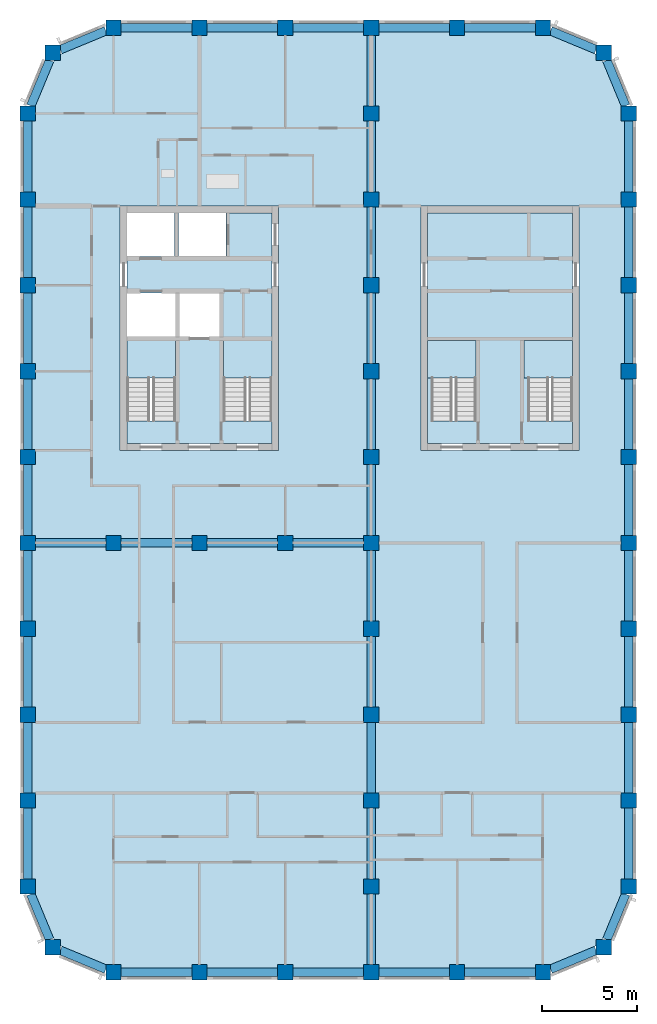
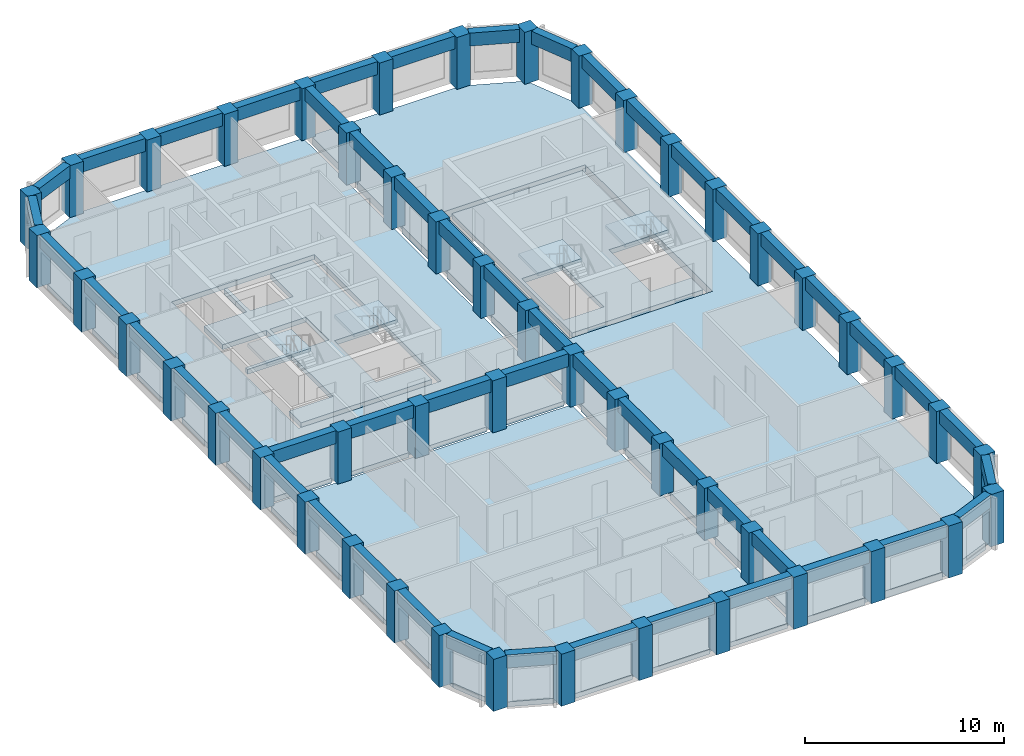
# One storey, part 1 of 9: 51 beams, 49 columns, 9 slabs, 4 elements without a shape of their own.
"""IFC4 building model written with IfcOpenShell, lengths in metres."""

from ifc_helpers import new_model, si_unit, direction, frame, origin, origin_2d, place, context, subcontext, project, spatial, polyline, rectangle, outline, extrude, material, layer, layer_set, material_profile, profile_set, type_object, element, aggregate, save


model = new_model("IFC4")

# Units and contexts
model_context = context("Model", 3, precision=1e-05, world=origin(), true_north=direction((0.0, 1.0)))
body_context = subcontext(model_context, "Body", "Model", "MODEL_VIEW")
ifc_project = project(units=[si_unit("LENGTHUNIT", "METRE"), si_unit("AREAUNIT", "SQUARE_METRE"), si_unit("VOLUMEUNIT", "CUBIC_METRE"), si_unit("PLANEANGLEUNIT", "RADIAN"), si_unit("MASSUNIT", "GRAM", prefix="KILO")], contexts=[model_context])

# Site, building, storey
site_placement = place(None, origin())
site = spatial("IfcSite", under=ifc_project, at=site_placement, CompositionType="ELEMENT")
building_placement = place(site_placement, origin())
building = spatial("IfcBuilding", under=site, at=building_placement, Name="Girih Gate Residences", CompositionType="ELEMENT")
storey_placement = place(building_placement, frame((0.0, 0.0, 226.094970703125)))
storey = spatial("IfcBuildingStorey", under=building, at=storey_placement, Name="L63", CompositionType="ELEMENT", Elevation=226.094970703125)

# Columns
ifc_material_1 = material(Name="Concrete C60/75", Category="concrete")
ifc_material_profile_1 = material_profile(ifc_material_1, rectangle(XDim=0.800048828125, YDim=0.800048828125, at=origin_2d()))
ifc_profile_set_1 = profile_set([ifc_material_profile_1], Name="Concrete C60/75")
column_type = type_object("IfcColumnType", Name="Pier RC 800x800 Concrete C60/75", PredefinedType="COLUMN", material=ifc_profile_set_1)
for number, where, z_axis, x_axis, name in (
    (1, (4.5, 0.0, 0.0), (0.0, 0.0, 1.0), (1.0, 0.0, 0.0), "Pier P2A L63"),
    (2, (9.0, 0.0, 0.0), (0.0, 0.0, 1.0), (1.0, 0.0, 0.0), "Pier P3A L63"),
    (3, (13.5, 0.0, 0.0), (0.0, 0.0, 1.0), (1.0, 0.0, 0.0), "Pier P4A L63"),
    (4, (18.0, 0.0, 0.0), (0.0, 0.0, 1.0), (1.0, 0.0, 0.0), "Pier P5A L63"),
    (5, (22.5, 0.0, 0.0), (0.0, 0.0, 1.0), (1.0, 0.0, 0.0), "Pier P6A L63"),
    (6, (27.0, 0.0, 0.0), (0.0, 0.0, 1.0), (1.0, 0.0, 0.0), "Pier P7A L63"),
    (7, (1.318115234375, 1.318115234375, 0.0), (0.0, 0.0, 1.0), (1.0, 0.0, 0.0), "Pier P1ANE L63"),
    (8, (30.181884765625, 1.318115234375, 0.0), (0.0, 0.0, 1.0), (1.0, 0.0, 0.0), "Pier P8ANW L63"),
    (9, (0.0, 4.5, 0.0), (0.0, 0.0, 1.0), (1.0, 0.0, 0.0), "Pier P1B L63"),
    (10, (18.0, 4.5, 0.0), (0.0, 0.0, 1.0), (1.0, 0.0, 0.0), "Pier P5B L63"),
    (11, (31.5, 4.5, 0.0), (0.0, 0.0, 1.0), (1.0, 0.0, 0.0), "Pier P8B L63"),
    (12, (0.0, 9.0, 0.0), (0.0, 0.0, 1.0), (1.0, 0.0, 0.0), "Pier P1C L63"),
    (13, (18.0, 9.0, 0.0), (0.0, 0.0, 1.0), (1.0, 0.0, 0.0), "Pier P5C L63"),
    (14, (31.5, 9.0, 0.0), (0.0, 0.0, 1.0), (1.0, 0.0, 0.0), "Pier P8C L63"),
    (15, (0.0, 13.5, 0.0), (0.0, 0.0, 1.0), (1.0, 0.0, 0.0), "Pier P1D L63"),
    (16, (18.0, 13.5, 0.0), (0.0, 0.0, 1.0), (1.0, 0.0, 0.0), "Pier P5D L63"),
    (17, (31.5, 13.5, 0.0), (0.0, 0.0, 1.0), (1.0, 0.0, 0.0), "Pier P8D L63"),
    (18, (0.0, 18.0, 0.0), (0.0, 0.0, 1.0), (1.0, 0.0, 0.0), "Pier P1E L63"),
    (19, (18.0, 18.0, 0.0), (0.0, 0.0, 1.0), (1.0, 0.0, 0.0), "Pier P5E L63"),
    (20, (31.5, 18.0, 0.0), (0.0, 0.0, 1.0), (1.0, 0.0, 0.0), "Pier P8E L63"),
    (21, (0.0, 22.5, 0.0), (0.0, 0.0, 1.0), (1.0, 0.0, 0.0), "Pier P1F L63"),
    (22, (4.5, 22.5, 0.0), (0.0, 0.0, 1.0), (1.0, 0.0, 0.0), "Pier P2F L63"),
    (23, (9.0, 22.5, 0.0), (0.0, 0.0, 1.0), (1.0, 0.0, 0.0), "Pier P3F L63"),
    (24, (13.5, 22.5, 0.0), (0.0, 0.0, 1.0), (1.0, 0.0, 0.0), "Pier P4F L63"),
    (25, (18.0, 22.5, 0.0), (0.0, 0.0, 1.0), (1.0, 0.0, 0.0), "Pier P5F L63"),
    (26, (31.5, 22.5, 0.0), (0.0, 0.0, 1.0), (1.0, 0.0, 0.0), "Pier P8F L63"),
    (27, (0.0, 27.0, 0.0), (0.0, 0.0, 1.0), (1.0, 0.0, 0.0), "Pier P1G L63"),
    (28, (18.0, 27.0, 0.0), (0.0, 0.0, 1.0), (1.0, 0.0, 0.0), "Pier P5G L63"),
    (29, (31.5, 27.0, 0.0), (0.0, 0.0, 1.0), (1.0, 0.0, 0.0), "Pier P8G L63"),
    (30, (0.0, 31.5, 0.0), (0.0, 0.0, 1.0), (1.0, 0.0, 0.0), "Pier P1H L63"),
    (31, (18.0, 31.5, 0.0), (0.0, 0.0, 1.0), (1.0, 0.0, 0.0), "Pier P5H L63"),
    (32, (31.5, 31.5, 0.0), (0.0, 0.0, 1.0), (1.0, 0.0, 0.0), "Pier P8H L63"),
    (33, (0.0, 36.0, 0.0), (0.0, 0.0, 1.0), (1.0, 0.0, 0.0), "Pier P1I L63"),
    (34, (18.0, 36.0, 0.0), (0.0, 0.0, 1.0), (1.0, 0.0, 0.0), "Pier P5I L63"),
    (35, (31.5, 36.0, 0.0), (0.0, 0.0, 1.0), (1.0, 0.0, 0.0), "Pier P8I L63"),
    (36, (0.0, 40.5, 0.0), (0.0, 0.0, 1.0), (1.0, 0.0, 0.0), "Pier P1J L63"),
    (37, (18.0, 40.5, 0.0), (0.0, 0.0, 1.0), (1.0, 0.0, 0.0), "Pier P5J L63"),
    (38, (31.5, 40.5, 0.0), (0.0, 0.0, 1.0), (1.0, 0.0, 0.0), "Pier P8J L63"),
    (39, (0.0, 45.0, 0.0), (0.0, 0.0, 1.0), (1.0, 0.0, 0.0), "Pier P1K L63"),
    (40, (18.0, 45.0, 0.0), (0.0, 0.0, 1.0), (1.0, 0.0, 0.0), "Pier P5K L63"),
    (41, (31.5, 45.0, 0.0), (0.0, 0.0, 1.0), (1.0, 0.0, 0.0), "Pier P8K L63"),
    (42, (1.318115234375, 48.181884765625, 0.0), (0.0, 0.0, 1.0), (1.0, 0.0, 0.0), "Pier P1LSE L63"),
    (43, (30.181884765625, 48.181884765625, 0.0), (0.0, 0.0, 1.0), (1.0, 0.0, 0.0), "Pier P8LSW L63"),
    (44, (4.5, 49.5, 0.0), (0.0, 0.0, 1.0), (1.0, 0.0, 0.0), "Pier P2L L63"),
    (45, (9.0, 49.5, 0.0), (0.0, 0.0, 1.0), (1.0, 0.0, 0.0), "Pier P3L L63"),
    (46, (13.5, 49.5, 0.0), (0.0, 0.0, 1.0), (1.0, 0.0, 0.0), "Pier P4L L63"),
    (47, (18.0, 49.5, 0.0), (0.0, 0.0, 1.0), (1.0, 0.0, 0.0), "Pier P5L L63"),
    (48, (22.5, 49.5, 0.0), (0.0, 0.0, 1.0), (1.0, 0.0, 0.0), "Pier P6L L63"),
    (49, (27.0, 49.5, 0.0), (0.0, 0.0, 1.0), (1.0, 0.0, 0.0), "Pier P7L L63"),
):
    element("IfcColumn", number, at=place(storey_placement, frame(where, z_axis=z_axis, x_axis=x_axis)), inside=storey, type_object=column_type, Name=name, PredefinedType="COLUMN", context=body_context, shape_type="SweptSolid", body=[
        extrude(rectangle(XDim=0.800048828125, YDim=0.800048828125, at=origin_2d()), origin(), (0.0, 0.0, 1.0), 3.199951171875),
    ])

# Beams
ifc_material_profile_2 = material_profile(ifc_material_1, rectangle(XDim=0.449951171875, YDim=0.800048828125, at=origin_2d()))
ifc_profile_set_2 = profile_set([ifc_material_profile_2], Name="Concrete C60/75")
beam_type = type_object("IfcBeamType", Name="Spandrel girder RC 450x800 Concrete C60/75", PredefinedType="BEAM", material=ifc_profile_set_2)
for number, where, z_axis, x_axis, name in (
    (50, (27.39990234375, 0.165771484375, 2.800048828125), (0.923895659062, 0.382644497107, 0.0), (-0.382644497107, 0.923895659062, 0.0), "Spandrel girder SP-P7A-P8ANW L63"),
    (51, (30.34765625, 1.718017578125, 2.800048828125), (0.382644497107, 0.923895659062, 0.0), (-0.923895659062, 0.382644497107, 0.0), "Spandrel girder SP-P8ANW-P8B L63"),
):
    element("IfcBeam", number, at=place(storey_placement, frame(where, z_axis=z_axis, x_axis=x_axis)), inside=storey, type_object=beam_type, Name=name, PredefinedType="BEAM", context=body_context, shape_type="SweptSolid", body=[
        extrude(rectangle(XDim=0.449951171875, YDim=0.800048828125, at=origin_2d()), origin(), (0.0, 0.0, 1.0), 2.578369140625),
    ])
for number, where, z_axis, x_axis, name in (
    (52, (31.5, 4.89990234375, 2.800048828125), (0.0, 1.0, 0.0), (-1.0, 0.0, 0.0), "Spandrel girder SP-P8B-P8C L63"),
    (53, (31.5, 9.39990234375, 2.800048828125), (0.0, 1.0, 0.0), (-1.0, 0.0, 0.0), "Spandrel girder SP-P8C-P8D L63"),
    (54, (31.5, 13.89990234375, 2.800048828125), (0.0, 1.0, 0.0), (-1.0, 0.0, 0.0), "Spandrel girder SP-P8D-P8E L63"),
    (55, (31.5, 18.39990234375, 2.800048828125), (0.0, 1.0, 0.0), (-1.0, 0.0, 0.0), "Spandrel girder SP-P8E-P8F L63"),
    (56, (31.5, 22.89990234375, 2.800048828125), (0.0, 1.0, 0.0), (-1.0, 0.0, 0.0), "Spandrel girder SP-P8F-P8G L63"),
    (57, (31.5, 27.39990234375, 2.800048828125), (0.0, 1.0, 0.0), (-1.0, 0.0, 0.0), "Spandrel girder SP-P8G-P8H L63"),
    (58, (31.5, 31.89990234375, 2.800048828125), (0.0, 1.0, 0.0), (-1.0, 0.0, 0.0), "Spandrel girder SP-P8H-P8I L63"),
    (59, (31.5, 36.39990234375, 2.800048828125), (0.0, 1.0, 0.0), (-1.0, 0.0, 0.0), "Spandrel girder SP-P8I-P8J L63"),
    (60, (31.5, 40.89990234375, 2.800048828125), (0.0, 1.0, 0.0), (-1.0, 0.0, 0.0), "Spandrel girder SP-P8J-P8K L63"),
):
    element("IfcBeam", number, at=place(storey_placement, frame(where, z_axis=z_axis, x_axis=x_axis)), inside=storey, type_object=beam_type, Name=name, PredefinedType="BEAM", context=body_context, shape_type="SweptSolid", body=[
        extrude(rectangle(XDim=0.449951171875, YDim=0.800048828125, at=origin_2d()), origin(), (0.0, 0.0, 1.0), 3.7001953125),
    ])
for number, where, z_axis, x_axis, name in (
    (61, (31.334228515625, 45.39990234375, 2.800048828125), (-0.382644497107, 0.923895659062, 0.0), (-0.923895659062, -0.382644497107, 0.0), "Spandrel girder SP-P8K-P8LSW L63"),
    (62, (29.781982421875, 48.34765625, 2.800048828125), (-0.923895659062, 0.382644497107, 0.0), (-0.382644497107, -0.923895659062, 0.0), "Spandrel girder SP-P8LSW-P7L L63"),
):
    element("IfcBeam", number, at=place(storey_placement, frame(where, z_axis=z_axis, x_axis=x_axis)), inside=storey, type_object=beam_type, Name=name, PredefinedType="BEAM", context=body_context, shape_type="SweptSolid", body=[
        extrude(rectangle(XDim=0.449951171875, YDim=0.800048828125, at=origin_2d()), origin(), (0.0, 0.0, 1.0), 2.578369140625),
    ])
for number, where, z_axis, x_axis, name in (
    (63, (26.60009765625, 49.5, 2.800048828125), (-1.0, 0.0, 0.0), (0.0, -1.0, 0.0), "Spandrel girder SP-P7L-P6L L63"),
    (64, (22.10009765625, 49.5, 2.800048828125), (-1.0, 0.0, 0.0), (0.0, -1.0, 0.0), "Spandrel girder SP-P6L-P5L L63"),
    (65, (17.60009765625, 49.5, 2.800048828125), (-1.0, 0.0, 0.0), (0.0, -1.0, 0.0), "Spandrel girder SP-P5L-P4L L63"),
    (66, (13.10009765625, 49.5, 2.800048828125), (-1.0, 0.0, 0.0), (0.0, -1.0, 0.0), "Spandrel girder SP-P4L-P3L L63"),
    (67, (8.60009765625, 49.5, 2.800048828125), (-1.0, 0.0, 0.0), (0.0, -1.0, 0.0), "Spandrel girder SP-P3L-P2L L63"),
):
    element("IfcBeam", number, at=place(storey_placement, frame(where, z_axis=z_axis, x_axis=x_axis)), inside=storey, type_object=beam_type, Name=name, PredefinedType="BEAM", context=body_context, shape_type="SweptSolid", body=[
        extrude(rectangle(XDim=0.449951171875, YDim=0.800048828125, at=origin_2d()), origin(), (0.0, 0.0, 1.0), 3.7001953125),
    ])
for number, where, z_axis, x_axis, name in (
    (68, (4.10009765625, 49.334228515625, 2.800048828125), (-0.923895659062, -0.382644497107, 0.0), (0.382644497107, -0.923895659062, 0.0), "Spandrel girder SP-P2L-P1LSE L63"),
    (69, (1.15234375, 47.781982421875, 2.800048828125), (-0.382644497107, -0.923895659062, 0.0), (0.923895659062, -0.382644497107, 0.0), "Spandrel girder SP-P1LSE-P1K L63"),
):
    element("IfcBeam", number, at=place(storey_placement, frame(where, z_axis=z_axis, x_axis=x_axis)), inside=storey, type_object=beam_type, Name=name, PredefinedType="BEAM", context=body_context, shape_type="SweptSolid", body=[
        extrude(rectangle(XDim=0.449951171875, YDim=0.800048828125, at=origin_2d()), origin(), (0.0, 0.0, 1.0), 2.578369140625),
    ])
for number, where, z_axis, x_axis, name in (
    (70, (0.0, 44.60009765625, 2.800048828125), (0.0, -1.0, 0.0), (1.0, 0.0, 0.0), "Spandrel girder SP-P1K-P1J L63"),
    (71, (0.0, 40.10009765625, 2.800048828125), (0.0, -1.0, 0.0), (1.0, 0.0, 0.0), "Spandrel girder SP-P1J-P1I L63"),
    (72, (0.0, 35.60009765625, 2.800048828125), (0.0, -1.0, 0.0), (1.0, 0.0, 0.0), "Spandrel girder SP-P1I-P1H L63"),
    (73, (0.0, 31.10009765625, 2.800048828125), (0.0, -1.0, 0.0), (1.0, 0.0, 0.0), "Spandrel girder SP-P1H-P1G L63"),
    (74, (0.0, 26.60009765625, 2.800048828125), (0.0, -1.0, 0.0), (1.0, 0.0, 0.0), "Spandrel girder SP-P1G-P1F L63"),
    (75, (0.0, 22.10009765625, 2.800048828125), (0.0, -1.0, 0.0), (1.0, 0.0, 0.0), "Spandrel girder SP-P1F-P1E L63"),
    (76, (0.0, 17.60009765625, 2.800048828125), (0.0, -1.0, 0.0), (1.0, 0.0, 0.0), "Spandrel girder SP-P1E-P1D L63"),
    (77, (0.0, 13.10009765625, 2.800048828125), (0.0, -1.0, 0.0), (1.0, 0.0, 0.0), "Spandrel girder SP-P1D-P1C L63"),
    (78, (0.0, 8.60009765625, 2.800048828125), (0.0, -1.0, 0.0), (1.0, 0.0, 0.0), "Spandrel girder SP-P1C-P1B L63"),
):
    element("IfcBeam", number, at=place(storey_placement, frame(where, z_axis=z_axis, x_axis=x_axis)), inside=storey, type_object=beam_type, Name=name, PredefinedType="BEAM", context=body_context, shape_type="SweptSolid", body=[
        extrude(rectangle(XDim=0.449951171875, YDim=0.800048828125, at=origin_2d()), origin(), (0.0, 0.0, 1.0), 3.7001953125),
    ])
for number, where, z_axis, x_axis, name in (
    (79, (0.165771484375, 4.10009765625, 2.800048828125), (0.382644497107, -0.923895659062, 0.0), (0.923895659062, 0.382644497107, 0.0), "Spandrel girder SP-P1B-P1ANE L63"),
    (80, (1.718017578125, 1.15234375, 2.800048828125), (0.923895659062, -0.382644497107, 0.0), (0.382644497107, 0.923895659062, 0.0), "Spandrel girder SP-P1ANE-P2A L63"),
):
    element("IfcBeam", number, at=place(storey_placement, frame(where, z_axis=z_axis, x_axis=x_axis)), inside=storey, type_object=beam_type, Name=name, PredefinedType="BEAM", context=body_context, shape_type="SweptSolid", body=[
        extrude(rectangle(XDim=0.449951171875, YDim=0.800048828125, at=origin_2d()), origin(), (0.0, 0.0, 1.0), 2.578369140625),
    ])
for number, where, z_axis, x_axis, name in (
    (81, (4.89990234375, 0.0, 2.800048828125), (1.0, 0.0, 0.0), (0.0, 1.0, 0.0), "Spandrel girder SP-P2A-P3A L63"),
    (82, (9.39990234375, 0.0, 2.800048828125), (1.0, 0.0, 0.0), (0.0, 1.0, 0.0), "Spandrel girder SP-P3A-P4A L63"),
    (83, (13.89990234375, 0.0, 2.800048828125), (1.0, 0.0, 0.0), (0.0, 1.0, 0.0), "Spandrel girder SP-P4A-P5A L63"),
    (84, (18.39990234375, 0.0, 2.800048828125), (1.0, 0.0, 0.0), (0.0, 1.0, 0.0), "Spandrel girder SP-P5A-P6A L63"),
    (85, (22.89990234375, 0.0, 2.800048828125), (1.0, 0.0, 0.0), (0.0, 1.0, 0.0), "Spandrel girder SP-P6A-P7A L63"),
    (86, (18.0, 0.39990234375, 2.800048828125), (0.0, 1.0, 0.0), (-1.0, 0.0, 0.0), "Spandrel girder SP-P5A-P5B L63"),
    (87, (18.0, 4.89990234375, 2.800048828125), (0.0, 1.0, 0.0), (-1.0, 0.0, 0.0), "Spandrel girder SP-P5B-P5C L63"),
    (88, (18.0, 9.39990234375, 2.800048828125), (0.0, 1.0, 0.0), (-1.0, 0.0, 0.0), "Spandrel girder SP-P5C-P5D L63"),
    (89, (18.0, 13.89990234375, 2.800048828125), (0.0, 1.0, 0.0), (-1.0, 0.0, 0.0), "Spandrel girder SP-P5D-P5E L63"),
    (90, (18.0, 18.39990234375, 2.800048828125), (0.0, 1.0, 0.0), (-1.0, 0.0, 0.0), "Spandrel girder SP-P5E-P5F L63"),
    (91, (18.0, 22.89990234375, 2.800048828125), (0.0, 1.0, 0.0), (-1.0, 0.0, 0.0), "Spandrel girder SP-P5F-P5G L63"),
    (92, (18.0, 27.39990234375, 2.800048828125), (0.0, 1.0, 0.0), (-1.0, 0.0, 0.0), "Spandrel girder SP-P5G-P5H L63"),
    (93, (18.0, 31.89990234375, 2.800048828125), (0.0, 1.0, 0.0), (-1.0, 0.0, 0.0), "Spandrel girder SP-P5H-P5I L63"),
    (94, (18.0, 36.39990234375, 2.800048828125), (0.0, 1.0, 0.0), (-1.0, 0.0, 0.0), "Spandrel girder SP-P5I-P5J L63"),
    (95, (18.0, 40.89990234375, 2.800048828125), (0.0, 1.0, 0.0), (-1.0, 0.0, 0.0), "Spandrel girder SP-P5J-P5K L63"),
    (96, (18.0, 45.39990234375, 2.800048828125), (0.0, 1.0, 0.0), (-1.0, 0.0, 0.0), "Spandrel girder SP-P5K-P5L L63"),
    (97, (0.39990234375, 22.5, 2.800048828125), (1.0, 0.0, 0.0), (0.0, 1.0, 0.0), "Spandrel girder SP-P1F-P2F L63"),
    (98, (4.89990234375, 22.5, 2.800048828125), (1.0, 0.0, 0.0), (0.0, 1.0, 0.0), "Spandrel girder SP-P2F-P3F L63"),
    (99, (9.39990234375, 22.5, 2.800048828125), (1.0, 0.0, 0.0), (0.0, 1.0, 0.0), "Spandrel girder SP-P3F-P4F L63"),
    (100, (13.89990234375, 22.5, 2.800048828125), (1.0, 0.0, 0.0), (0.0, 1.0, 0.0), "Spandrel girder SP-P4F-P5F L63"),
):
    element("IfcBeam", number, at=place(storey_placement, frame(where, z_axis=z_axis, x_axis=x_axis)), inside=storey, type_object=beam_type, Name=name, PredefinedType="BEAM", context=body_context, shape_type="SweptSolid", body=[
        extrude(rectangle(XDim=0.449951171875, YDim=0.800048828125, at=origin_2d()), origin(), (0.0, 0.0, 1.0), 3.7001953125),
    ])

# Slabs
ifc_material_2 = material(Name="Concrete C40/50", Category="concrete")
ifc_layer_1 = layer(ifc_material_2, 0.300048828125)
ifc_layer_set_1 = layer_set([ifc_layer_1], Name="Core floor slab 300")
slab_type_1 = type_object("IfcSlabType", Name="Core floor slab 300", PredefinedType="FLOOR", material=ifc_layer_set_1)
slab_1_placement = place(storey_placement, frame((0.0, 0.0, -0.300048828125)))
element("IfcSlab", 101, at=slab_1_placement, inside=storey, type_object=slab_type_1, Name="L63 W core floor", PredefinedType="FLOOR", context=body_context, shape_type="SweptSolid", body=[
    extrude(outline(polyline([(12.800048828125, 27.699951171875), (5.199951171875, 27.699951171875), (5.199951171875, 28.900634765625), (7.75, 28.900634765625), (7.75, 33.10009765625), (5.199951171875, 33.10009765625), (5.199951171875, 33.300048828125), (7.75, 33.300048828125), (7.75, 35.60009765625), (5.199951171875, 35.60009765625), (5.199951171875, 37.5), (7.699951171875, 37.5), (7.699951171875, 39.800048828125), (7.89990234375, 39.800048828125), (7.89990234375, 37.5), (10.39990234375, 37.5), (10.39990234375, 39.800048828125), (12.800048828125, 39.800048828125), (12.800048828125, 33.10009765625), (10.25, 33.10009765625), (10.25, 28.900634765625), (12.800048828125, 28.900634765625), (12.800048828125, 27.699951171875)]), holes=[polyline([(7.949951171875, 33.300048828125), (10.050048828125, 33.300048828125), (10.050048828125, 35.60009765625), (7.949951171875, 35.60009765625), (7.949951171875, 33.300048828125)])]), origin(), (0.0, 0.0, 1.0), 0.300048828125),
])
slab_2_placement = place(storey_placement, frame((0.0, 0.0, -0.300048828125)))
element("IfcSlab", 102, at=slab_2_placement, inside=storey, type_object=slab_type_1, Name="L63 C core floor", PredefinedType="FLOOR", context=body_context, shape_type="SweptSolid", body=[
    extrude(outline(polyline([(28.550048828125, 27.699951171875), (20.949951171875, 27.699951171875), (20.949951171875, 39.800048828125), (28.550048828125, 39.800048828125), (28.550048828125, 33.10009765625), (26.199951171875, 33.10009765625), (26.199951171875, 28.900634765625), (28.550048828125, 28.900634765625), (28.550048828125, 27.699951171875)]), holes=[polyline([(23.5, 28.900634765625), (23.5, 33.10009765625), (21.14990234375, 33.10009765625), (21.14990234375, 28.900634765625), (23.5, 28.900634765625)])]), origin(), (0.0, 0.0, 1.0), 0.300048828125),
])
ifc_layer_2 = layer(ifc_material_2, 0.300048828125)
ifc_layer_set_2 = layer_set([ifc_layer_2], Name="Floor slab PT 300 Concrete C40/50")
slab_type_2 = type_object("IfcSlabType", Name="Floor slab PT 300 Concrete C40/50", PredefinedType="FLOOR", material=ifc_layer_set_2)
slab_3_placement = place(storey_placement, frame((0.0, 0.0, -0.300048828125)))
element("IfcSlab", 103, at=slab_3_placement, inside=storey, type_object=slab_type_2, Name="Floor slab L63 0", PredefinedType="FLOOR", context=body_context, shape_type="SweptSolid", body=[
    extrude(outline(polyline([(13.89990234375, 0.22509765625), (17.60009765625, 0.22509765625), (17.60009765625, 0.39990234375), (17.77490234375, 0.39990234375), (17.77490234375, 4.10009765625), (17.60009765625, 4.10009765625), (17.60009765625, 4.89990234375), (17.77490234375, 4.89990234375), (17.77490234375, 8.60009765625), (17.60009765625, 8.60009765625), (17.60009765625, 9.39990234375), (17.77490234375, 9.39990234375), (17.77490234375, 13.10009765625), (17.60009765625, 13.10009765625), (17.60009765625, 13.89990234375), (17.77490234375, 13.89990234375), (17.77490234375, 17.60009765625), (17.60009765625, 17.60009765625), (17.60009765625, 18.39990234375), (17.77490234375, 18.39990234375), (17.77490234375, 22.10009765625), (17.60009765625, 22.10009765625), (17.60009765625, 22.27490234375), (13.89990234375, 22.27490234375), (13.89990234375, 22.10009765625), (13.10009765625, 22.10009765625), (13.10009765625, 22.27490234375), (9.39990234375, 22.27490234375), (9.39990234375, 22.10009765625), (8.60009765625, 22.10009765625), (8.60009765625, 22.27490234375), (4.89990234375, 22.27490234375), (4.89990234375, 22.10009765625), (4.10009765625, 22.10009765625), (4.10009765625, 22.27490234375), (0.39990234375, 22.27490234375), (0.39990234375, 22.10009765625), (0.22509765625, 22.10009765625), (0.22509765625, 18.39990234375), (0.39990234375, 18.39990234375), (0.39990234375, 17.60009765625), (0.22509765625, 17.60009765625), (0.22509765625, 13.89990234375), (0.39990234375, 13.89990234375), (0.39990234375, 13.10009765625), (0.22509765625, 13.10009765625), (0.22509765625, 9.39990234375), (0.39990234375, 9.39990234375), (0.39990234375, 8.60009765625), (0.22509765625, 8.60009765625), (0.22509765625, 4.89990234375), (0.39990234375, 4.89990234375), (0.39990234375, 4.122314453125), (1.395751953125, 1.718017578125), (1.718017578125, 1.718017578125), (1.718017578125, 1.395751953125), (4.122314453125, 0.39990234375), (4.89990234375, 0.39990234375), (4.89990234375, 0.22509765625), (8.60009765625, 0.22509765625), (8.60009765625, 0.39990234375), (9.39990234375, 0.39990234375), (9.39990234375, 0.22509765625), (13.10009765625, 0.22509765625), (13.10009765625, 0.39990234375), (13.89990234375, 0.39990234375), (13.89990234375, 0.22509765625)])), origin(), (0.0, 0.0, 1.0), 0.300048828125),
])
slab_4_placement = place(storey_placement, frame((0.0, 0.0, -0.300048828125)))
element("IfcSlab", 104, at=slab_4_placement, inside=storey, type_object=slab_type_2, Name="Floor slab L63 2", PredefinedType="FLOOR", context=body_context, shape_type="SweptSolid", body=[
    extrude(outline(polyline([(0.22509765625, 26.60009765625), (0.22509765625, 22.89990234375), (0.39990234375, 22.89990234375), (0.39990234375, 22.72509765625), (4.10009765625, 22.72509765625), (4.10009765625, 22.89990234375), (4.89990234375, 22.89990234375), (4.89990234375, 22.72509765625), (8.60009765625, 22.72509765625), (8.60009765625, 22.89990234375), (9.39990234375, 22.89990234375), (9.39990234375, 22.72509765625), (13.10009765625, 22.72509765625), (13.10009765625, 22.89990234375), (13.89990234375, 22.89990234375), (13.89990234375, 22.72509765625), (17.60009765625, 22.72509765625), (17.60009765625, 22.89990234375), (17.77490234375, 22.89990234375), (17.77490234375, 26.60009765625), (17.60009765625, 26.60009765625), (17.60009765625, 27.39990234375), (17.77490234375, 27.39990234375), (17.77490234375, 31.10009765625), (17.60009765625, 31.10009765625), (17.60009765625, 31.89990234375), (17.77490234375, 31.89990234375), (17.77490234375, 35.60009765625), (17.60009765625, 35.60009765625), (17.60009765625, 36.39990234375), (17.77490234375, 36.39990234375), (17.77490234375, 40.10009765625), (17.60009765625, 40.10009765625), (17.60009765625, 40.89990234375), (17.77490234375, 40.89990234375), (17.77490234375, 44.60009765625), (17.60009765625, 44.60009765625), (17.60009765625, 45.39990234375), (17.77490234375, 45.39990234375), (17.77490234375, 49.10009765625), (17.60009765625, 49.10009765625), (17.60009765625, 49.27490234375), (13.89990234375, 49.27490234375), (13.89990234375, 49.10009765625), (13.10009765625, 49.10009765625), (13.10009765625, 49.27490234375), (9.39990234375, 49.27490234375), (9.39990234375, 49.10009765625), (8.60009765625, 49.10009765625), (8.60009765625, 49.27490234375), (4.89990234375, 49.27490234375), (4.89990234375, 49.10009765625), (4.122314453125, 49.10009765625), (1.718017578125, 48.104248046875), (1.718017578125, 47.781982421875), (1.395751953125, 47.781982421875), (0.39990234375, 45.377685546875), (0.39990234375, 44.60009765625), (0.22509765625, 44.60009765625), (0.22509765625, 40.89990234375), (0.39990234375, 40.89990234375), (0.39990234375, 40.10009765625), (0.22509765625, 40.10009765625), (0.22509765625, 36.39990234375), (0.39990234375, 36.39990234375), (0.39990234375, 35.60009765625), (0.22509765625, 35.60009765625), (0.22509765625, 31.89990234375), (0.39990234375, 31.89990234375), (0.39990234375, 31.10009765625), (0.22509765625, 31.10009765625), (0.22509765625, 27.39990234375), (0.39990234375, 27.39990234375), (0.39990234375, 26.60009765625), (0.22509765625, 26.60009765625)]), holes=[polyline([(13.14990234375, 40.14990234375), (13.14990234375, 27.35009765625), (4.85009765625, 27.35009765625), (4.85009765625, 40.14990234375), (13.14990234375, 40.14990234375)])]), origin(), (0.0, 0.0, 1.0), 0.300048828125),
])
ifc_layer_3 = layer(ifc_material_2, 0.449951171875)
ifc_layer_set_3 = layer_set([ifc_layer_3], Name="Floor slab PT 450 Concrete C40/50")
slab_type_3 = type_object("IfcSlabType", Name="Floor slab PT 450 Concrete C40/50", PredefinedType="FLOOR", material=ifc_layer_set_3)
slab_5_placement = place(storey_placement, frame((0.0, 0.0, -0.449951171875)))
element("IfcSlab", 105, at=slab_5_placement, inside=storey, type_object=slab_type_3, Name="Floor slab L63 1", PredefinedType="FLOOR", context=body_context, shape_type="SweptSolid", body=[
    extrude(outline(polyline([(22.89990234375, 0.22509765625), (26.60009765625, 0.22509765625), (26.60009765625, 0.39990234375), (27.377685546875, 0.39990234375), (29.781982421875, 1.395751953125), (29.781982421875, 1.718017578125), (30.104248046875, 1.718017578125), (31.10009765625, 4.122314453125), (31.10009765625, 4.89990234375), (31.27490234375, 4.89990234375), (31.27490234375, 8.60009765625), (31.10009765625, 8.60009765625), (31.10009765625, 9.39990234375), (31.27490234375, 9.39990234375), (31.27490234375, 13.10009765625), (31.10009765625, 13.10009765625), (31.10009765625, 13.89990234375), (31.27490234375, 13.89990234375), (31.27490234375, 17.60009765625), (31.10009765625, 17.60009765625), (31.10009765625, 18.39990234375), (31.27490234375, 18.39990234375), (31.27490234375, 22.10009765625), (31.10009765625, 22.10009765625), (31.10009765625, 22.89990234375), (31.27490234375, 22.89990234375), (31.27490234375, 26.60009765625), (31.10009765625, 26.60009765625), (31.10009765625, 27.39990234375), (31.27490234375, 27.39990234375), (31.27490234375, 31.10009765625), (31.10009765625, 31.10009765625), (31.10009765625, 31.89990234375), (31.27490234375, 31.89990234375), (31.27490234375, 35.60009765625), (31.10009765625, 35.60009765625), (31.10009765625, 36.39990234375), (31.27490234375, 36.39990234375), (31.27490234375, 40.10009765625), (31.10009765625, 40.10009765625), (31.10009765625, 40.89990234375), (31.27490234375, 40.89990234375), (31.27490234375, 44.60009765625), (31.10009765625, 44.60009765625), (31.10009765625, 45.377685546875), (30.104248046875, 47.781982421875), (29.781982421875, 47.781982421875), (29.781982421875, 48.104248046875), (27.377685546875, 49.10009765625), (26.60009765625, 49.10009765625), (26.60009765625, 49.27490234375), (22.89990234375, 49.27490234375), (22.89990234375, 49.10009765625), (22.10009765625, 49.10009765625), (22.10009765625, 49.27490234375), (18.39990234375, 49.27490234375), (18.39990234375, 49.10009765625), (18.22509765625, 49.10009765625), (18.22509765625, 45.39990234375), (18.39990234375, 45.39990234375), (18.39990234375, 44.60009765625), (18.22509765625, 44.60009765625), (18.22509765625, 40.89990234375), (18.39990234375, 40.89990234375), (18.39990234375, 40.10009765625), (18.22509765625, 40.10009765625), (18.22509765625, 36.39990234375), (18.39990234375, 36.39990234375), (18.39990234375, 35.60009765625), (18.22509765625, 35.60009765625), (18.22509765625, 31.89990234375), (18.39990234375, 31.89990234375), (18.39990234375, 31.10009765625), (18.22509765625, 31.10009765625), (18.22509765625, 27.39990234375), (18.39990234375, 27.39990234375), (18.39990234375, 26.60009765625), (18.22509765625, 26.60009765625), (18.22509765625, 22.89990234375), (18.39990234375, 22.89990234375), (18.39990234375, 22.10009765625), (18.22509765625, 22.10009765625), (18.22509765625, 18.39990234375), (18.39990234375, 18.39990234375), (18.39990234375, 17.60009765625), (18.22509765625, 17.60009765625), (18.22509765625, 13.89990234375), (18.39990234375, 13.89990234375), (18.39990234375, 13.10009765625), (18.22509765625, 13.10009765625), (18.22509765625, 9.39990234375), (18.39990234375, 9.39990234375), (18.39990234375, 8.60009765625), (18.22509765625, 8.60009765625), (18.22509765625, 4.89990234375), (18.39990234375, 4.89990234375), (18.39990234375, 4.10009765625), (18.22509765625, 4.10009765625), (18.22509765625, 0.39990234375), (18.39990234375, 0.39990234375), (18.39990234375, 0.22509765625), (22.10009765625, 0.22509765625), (22.10009765625, 0.39990234375), (22.89990234375, 0.39990234375), (22.89990234375, 0.22509765625)]), holes=[polyline([(28.89990234375, 40.14990234375), (28.89990234375, 27.35009765625), (20.60009765625, 27.35009765625), (20.60009765625, 40.14990234375), (28.89990234375, 40.14990234375)])]), origin(), (0.0, 0.0, 1.0), 0.449951171875),
])

# Stair, slab
stair_type_1 = type_object("IfcStairType", Name="Exit stair", PredefinedType="HALF_TURN_STAIR", material=ifc_material_2)
stair_1_placement = place(storey_placement, origin())
stair_1 = element("IfcStair", 106, at=stair_1_placement, inside=storey, type_object=stair_type_1, Name="L63 Exit Stair ST-W1", PredefinedType="HALF_TURN_STAIR")
ifc_layer_4 = layer(ifc_material_2, 0.199951171875)
ifc_layer_set_4 = layer_set([ifc_layer_4], Name="Stair landing 200")
slab_type_4 = type_object("IfcSlabType", Name="Stair landing 200", PredefinedType="LANDING", material=ifc_layer_set_4)
slab_6_placement = place(storey_placement, frame((0.0, 0.0, 1.400146484375)))
slab_6 = element("IfcSlab", 107, at=slab_6_placement, type_object=slab_type_4, Name="ST-W1 landing 1", PredefinedType="LANDING", context=body_context, shape_type="SweptSolid", body=[
    extrude(outline(polyline([(7.75, 31.14990234375), (7.75, 33.10009765625), (5.199951171875, 33.10009765625), (5.199951171875, 31.14990234375), (7.75, 31.14990234375)])), origin(), (0.0, 0.0, 1.0), 0.199951171875),
])
aggregate(stair_1, [slab_6])

stair_2_placement = place(storey_placement, origin())
stair_2 = element("IfcStair", 108, at=stair_2_placement, inside=storey, type_object=stair_type_1, Name="L63 Exit Stair ST-W2", PredefinedType="HALF_TURN_STAIR")
slab_7_placement = place(storey_placement, frame((0.0, 0.0, 1.400146484375)))
slab_7 = element("IfcSlab", 109, at=slab_7_placement, type_object=slab_type_4, Name="ST-W2 landing 1", PredefinedType="LANDING", context=body_context, shape_type="SweptSolid", body=[
    extrude(outline(polyline([(12.800048828125, 31.14990234375), (12.800048828125, 33.10009765625), (10.25, 33.10009765625), (10.25, 31.14990234375), (12.800048828125, 31.14990234375)])), origin(), (0.0, 0.0, 1.0), 0.199951171875),
])
aggregate(stair_2, [slab_7])

stair_type_2 = type_object("IfcStairType", Name="Exit stair C core", PredefinedType="HALF_TURN_STAIR", material=ifc_material_2)
stair_3_placement = place(storey_placement, origin())
stair_3 = element("IfcStair", 110, at=stair_3_placement, inside=storey, type_object=stair_type_2, Name="L63 Exit Stair ST-C1", PredefinedType="HALF_TURN_STAIR")
slab_8_placement = place(storey_placement, frame((0.0, 0.0, 1.400146484375)))
slab_8 = element("IfcSlab", 111, at=slab_8_placement, type_object=slab_type_4, Name="ST-C1 landing 1", PredefinedType="LANDING", context=body_context, shape_type="SweptSolid", body=[
    extrude(outline(polyline([(23.5, 31.14990234375), (23.5, 33.10009765625), (20.949951171875, 33.10009765625), (20.949951171875, 31.14990234375), (23.5, 31.14990234375)])), origin(), (0.0, 0.0, 1.0), 0.199951171875),
])
aggregate(stair_3, [slab_8])

stair_4_placement = place(storey_placement, origin())
stair_4 = element("IfcStair", 112, at=stair_4_placement, inside=storey, type_object=stair_type_2, Name="L63 Exit Stair ST-C2", PredefinedType="HALF_TURN_STAIR")
slab_9_placement = place(storey_placement, frame((0.0, 0.0, 1.400146484375)))
slab_9 = element("IfcSlab", 113, at=slab_9_placement, type_object=slab_type_4, Name="ST-C2 landing 1", PredefinedType="LANDING", context=body_context, shape_type="SweptSolid", body=[
    extrude(outline(polyline([(28.550048828125, 31.14990234375), (28.550048828125, 33.10009765625), (26.0, 33.10009765625), (26.0, 31.14990234375), (28.550048828125, 31.14990234375)])), origin(), (0.0, 0.0, 1.0), 0.199951171875),
])
aggregate(stair_4, [slab_9])

save(model, "model.ifc")
